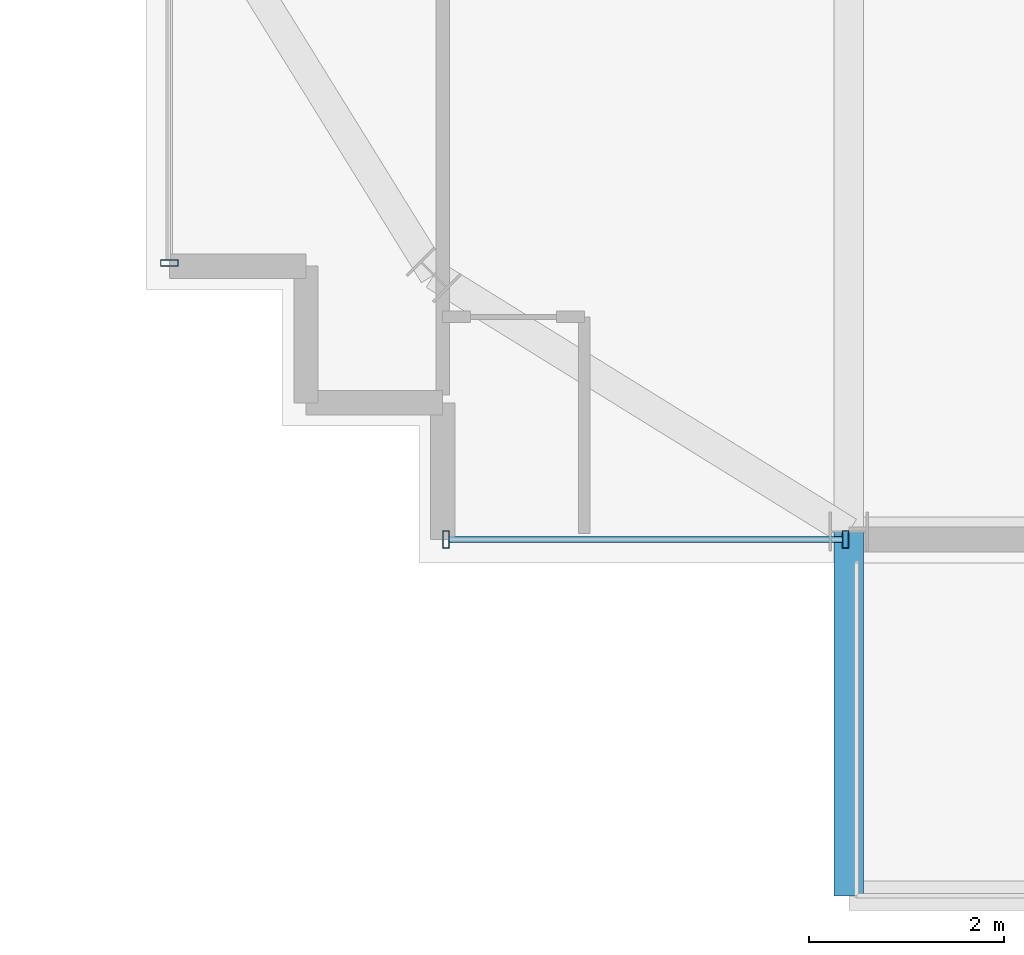
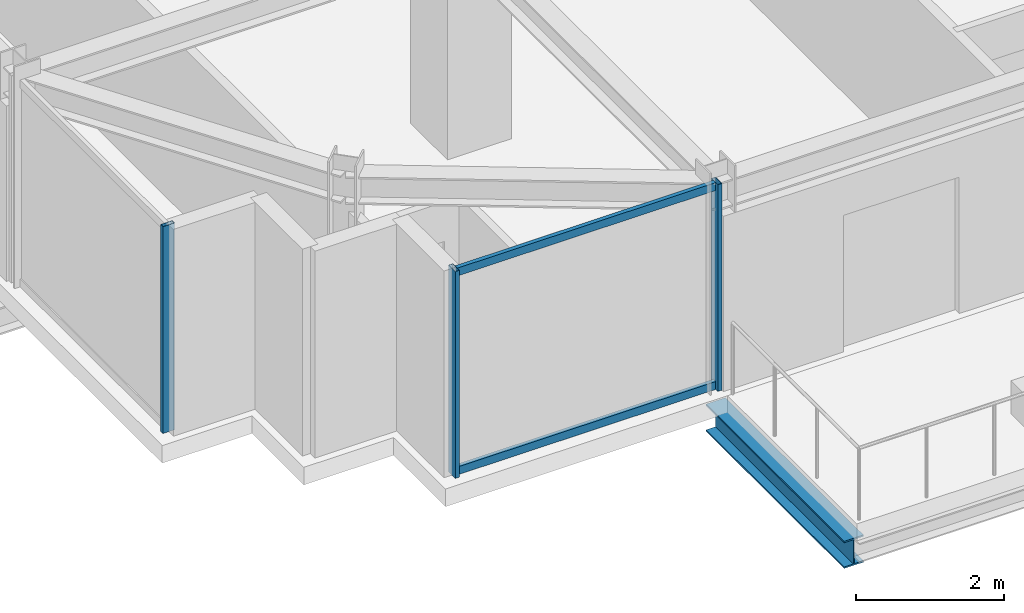
# One storey, part 3 of 35: 5 members, 1 beam, 2 elements without a shape of their own.
"""IFC4 building model written with IfcOpenShell, lengths in metres."""

from ifc_helpers import new_model, si_unit, direction, frame, origin, origin_2d, place, context, subcontext, project, spatial, hollow_rectangle, i_section, extrude, source, transform, mapped, material, material_profile, profile_set, type_object, element, aggregate, save


model = new_model("IFC4")

# Units and contexts
model_context = context("Model", 3, precision=1e-05, world=origin(), true_north=direction((0.0, 1.0)))
body_context = subcontext(model_context, "Body", "Model", "MODEL_VIEW")
ifc_project = project(units=[si_unit("LENGTHUNIT", "METRE"), si_unit("AREAUNIT", "SQUARE_METRE"), si_unit("VOLUMEUNIT", "CUBIC_METRE"), si_unit("PLANEANGLEUNIT", "RADIAN"), si_unit("MASSUNIT", "GRAM", prefix="KILO")], contexts=[model_context])

# Site, building, storey
site_placement = place(None, origin())
site = spatial("IfcSite", under=ifc_project, at=site_placement, CompositionType="ELEMENT")
building_placement = place(site_placement, origin())
building = spatial("IfcBuilding", under=site, at=building_placement, Name="Nahalor Promenade Grand Hotel", CompositionType="ELEMENT")
storey_placement = place(building_placement, frame((0.0, 0.0, 245.60009765625)))
storey = spatial("IfcBuildingStorey", under=building, at=storey_placement, Name="L63", CompositionType="ELEMENT", Elevation=245.60009765625)

# Beam
ifc_material_1 = material(Name="Steel S355JR", Category="steel")
ifc_material_profile_1 = material_profile(ifc_material_1, i_section(OverallWidth=0.3, OverallDepth=0.45, WebThickness=0.014, FlangeThickness=0.026, at=origin_2d()), Name="HEB 450")
ifc_profile_set_1 = profile_set([ifc_material_profile_1], Name="Steel S355JR")
beam_type = type_object("IfcBeamType", Name="Beam-Outrigger-HEB450", PredefinedType="BEAM", material=ifc_profile_set_1)
shared_shape_1 = source(origin(), body_context, "Body", "SweptSolid", [
    extrude(i_section(OverallWidth=0.3, OverallDepth=0.45, WebThickness=0.014, FlangeThickness=0.026, at=origin_2d()), origin(), (0.0, 0.0, 1.0), 3.730224609375),
])
beam_placement = place(storey_placement, frame((-17.0, -27.610107421875, -0.505126953125), z_axis=(0.0, 1.0, 0.0), x_axis=(-1.0, 0.0, 0.0)))
element("IfcBeam", 1, at=beam_placement, inside=storey, type_object=beam_type, Name="BM-L63-BC-01-1", PredefinedType="BEAM", context=body_context, shape_type="MappedRepresentation", body=[
    mapped(shared_shape_1, transform((0.0, 0.0, 0.0), scale=1.0)),
])

# Curtain wall, members
ifc_material_2 = material(Name="Anodised Bronze Aluminium EN AW-6063 T6", Category="aluminium")
curtain_wall_type = type_object("IfcCurtainWallType", Name="CW2 Typical Hotel Flush Bronze Unitised Curtain Wall", PredefinedType="USERDEFINED", material=ifc_material_2)
curtain_wall_1_placement = place(storey_placement, origin())
curtain_wall_1 = element("IfcCurtainWall", 2, at=curtain_wall_1_placement, inside=storey, type_object=curtain_wall_type, Name="L63 Curtain Wall CW-L63-S-1", ObjectType="UNITISED_CURTAIN_WALL", PredefinedType="USERDEFINED")
ifc_material_profile_2 = material_profile(ifc_material_2, hollow_rectangle(XDim=0.065, YDim=0.13, WallThickness=0.004, at=origin_2d()), Name="CWT 65x130x4")
ifc_profile_set_2 = profile_set([ifc_material_profile_2], Name="Anodised Bronze Aluminium EN AW-6063 T6")
member_type_1 = type_object("IfcMemberType", Name="CWT2 Typical Bronze Transom 65x130", PredefinedType="USERDEFINED", material=ifc_profile_set_2)
shared_shape_2 = source(origin(), body_context, "Body", "SweptSolid", [
    extrude(hollow_rectangle(XDim=0.065, YDim=0.13, WallThickness=0.004, at=origin_2d()), origin(), (0.0, 0.0, 1.0), 4.030029296875),
])
member_1_placement = place(storey_placement, frame((-21.094970703125, -23.9599609375, 0.06494140625), z_axis=(1.0, 0.0, 0.0), x_axis=(0.0, 1.0, 0.0)))
member_1 = element("IfcMember", 3, at=member_1_placement, type_object=member_type_1, Name="CW-L63-S-1 Transom 0-0", ObjectType="TRANSOM", PredefinedType="USERDEFINED", context=body_context, shape_type="MappedRepresentation", body=[
    mapped(shared_shape_2, transform((0.0, 0.0, 0.0), scale=1.0)),
])
member_2_placement = place(storey_placement, frame((-21.094970703125, -23.9599609375, 3.344970703125), z_axis=(1.0, 0.0, 0.0), x_axis=(0.0, 1.0, 0.0)))
member_2 = element("IfcMember", 4, at=member_2_placement, type_object=member_type_1, Name="CW-L63-S-1 Transom 0-1", ObjectType="TRANSOM", PredefinedType="USERDEFINED", context=body_context, shape_type="MappedRepresentation", body=[
    mapped(shared_shape_2, transform((0.0, 0.0, 0.0), scale=1.0)),
])
ifc_material_profile_3 = material_profile(ifc_material_2, hollow_rectangle(XDim=0.065, YDim=0.18, WallThickness=0.004, at=origin_2d()), Name="CWM 65x180x4")
ifc_profile_set_3 = profile_set([ifc_material_profile_3], Name="Anodised Bronze Aluminium EN AW-6063 T6")
member_type_2 = type_object("IfcMemberType", Name="CWM2 Typical Bronze Mullion 65x180", PredefinedType="MULLION", material=ifc_profile_set_3)
shared_shape_3 = source(origin(), body_context, "Body", "SweptSolid", [
    extrude(hollow_rectangle(XDim=0.065, YDim=0.18, WallThickness=0.004, at=origin_2d()), origin(), (0.0, 0.0, 1.0), 3.409912109375),
])
member_3_placement = place(storey_placement, frame((-21.12744140625, -23.9599609375, 0.0), z_axis=(0.0, 0.0, 1.0), x_axis=(1.0, 0.0, 0.0)))
member_3 = element("IfcMember", 5, at=member_3_placement, type_object=member_type_2, Name="CW-L63-S-1 Mullion 0", PredefinedType="MULLION", context=body_context, shape_type="MappedRepresentation", body=[
    mapped(shared_shape_3, transform((0.0, 0.0, 0.0), scale=1.0)),
])
member_4_placement = place(storey_placement, frame((-17.032470703125, -23.9599609375, 0.0), z_axis=(0.0, 0.0, 1.0), x_axis=(1.0, 0.0, 0.0)))
member_4 = element("IfcMember", 6, at=member_4_placement, type_object=member_type_2, Name="CW-L63-S-1 Mullion 1", PredefinedType="MULLION", context=body_context, shape_type="MappedRepresentation", body=[
    mapped(shared_shape_3, transform((0.0, 0.0, 0.0), scale=1.0)),
])
aggregate(curtain_wall_1, [member_3, member_4, member_1, member_2])

# Curtain wall, member
curtain_wall_2_placement = place(storey_placement, origin())
curtain_wall_2 = element("IfcCurtainWall", 7, at=curtain_wall_2_placement, inside=storey, type_object=curtain_wall_type, Name="L63 Curtain Wall CW-L63-W-1", ObjectType="UNITISED_CURTAIN_WALL", PredefinedType="USERDEFINED")
member_5_placement = place(storey_placement, frame((-23.9599609375, -21.12744140625, 0.0), z_axis=(0.0, 0.0, 1.0), x_axis=(0.0, 1.0, 0.0)))
member_5 = element("IfcMember", 8, at=member_5_placement, type_object=member_type_2, Name="CW-L63-W-1 Mullion 0", PredefinedType="MULLION", context=body_context, shape_type="MappedRepresentation", body=[
    mapped(shared_shape_3, transform((0.0, 0.0, 0.0), scale=1.0)),
])
aggregate(curtain_wall_2, [member_5])

save(model, "model.ifc")
